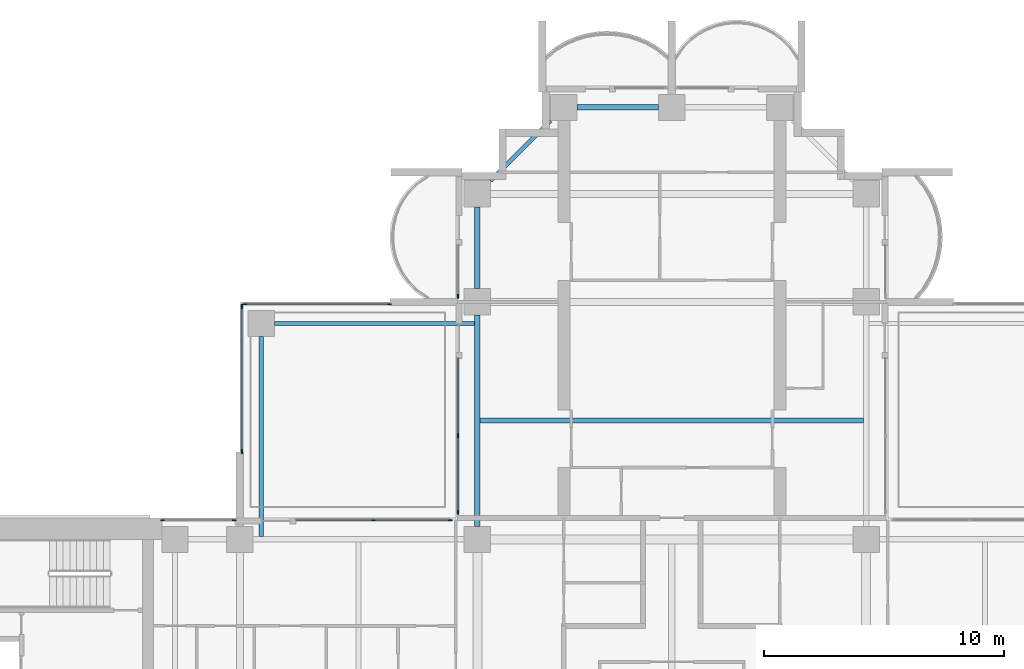
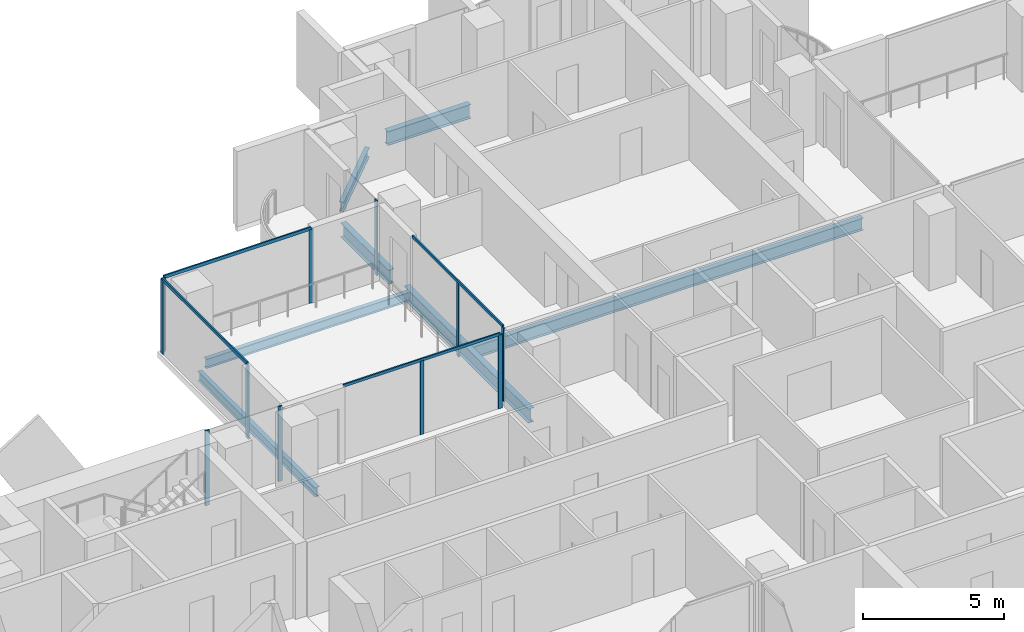
# One storey, part 5 of 19: 15 members, 7 beams, 6 elements without a shape of their own.
"""IFC4 building model written with IfcOpenShell, lengths in metres."""

from ifc_helpers import new_model, si_unit, direction, frame, origin, origin_2d, place, context, subcontext, project, spatial, rectangle, i_section, extrude, material, material_profile, profile_set, type_object, element, aggregate, save


model = new_model("IFC4")

# Units and contexts
model_context = context("Model", 3, precision=1e-05, world=origin(), true_north=direction((0.0, 1.0)))
body_context = subcontext(model_context, "Body", "Model", "MODEL_VIEW")
ifc_project = project(units=[si_unit("LENGTHUNIT", "METRE"), si_unit("AREAUNIT", "SQUARE_METRE"), si_unit("VOLUMEUNIT", "CUBIC_METRE"), si_unit("PLANEANGLEUNIT", "RADIAN"), si_unit("MASSUNIT", "GRAM", prefix="KILO")], contexts=[model_context])

# Site, building, storey
site_placement = place(None, origin())
site = spatial("IfcSite", under=ifc_project, at=site_placement, CompositionType="ELEMENT")
building_placement = place(site_placement, origin())
building = spatial("IfcBuilding", under=site, at=building_placement, Name="Perihelion Cross Residences", CompositionType="ELEMENT")
storey_placement = place(building_placement, frame((0.0, 0.0, 137.39990234375)))
storey = spatial("IfcBuildingStorey", under=building, at=storey_placement, Name="L33", CompositionType="ELEMENT", Elevation=137.39990234375)

# Curtain wall, member
ifc_material_1 = material(Name="Bronze anodised aluminium, tinted glazing", Category="aluminium")
curtain_wall_type_1 = type_object("IfcCurtainWallType", Name="CW1", PredefinedType="NOTDEFINED", material=ifc_material_1)
curtain_wall_1_placement = place(storey_placement, origin())
curtain_wall_1 = element("IfcCurtainWall", 1, at=curtain_wall_1_placement, inside=storey, type_object=curtain_wall_type_1, Name="Curtain wall CW1 L33 north side west bay 1", PredefinedType="NOTDEFINED")
ifc_material_2 = material(Name="Bronze anodised aluminium", Category="aluminium")
ifc_material_profile_1 = material_profile(ifc_material_2, rectangle(XDim=0.06005859375, YDim=0.159912109375, at=origin_2d()), Name="CW1 mullion")
ifc_profile_set_1 = profile_set([ifc_material_profile_1], Name="Bronze anodised aluminium")
member_type_1 = type_object("IfcMemberType", Name="CW1 mullion", PredefinedType="MULLION", material=ifc_profile_set_1)
member_1_placement = place(storey_placement, frame((-8.89990234375, 18.22998046875, 0.0), z_axis=(0.0, 0.0, 1.0), x_axis=(1.0, 0.0, 0.0)))
member_1 = element("IfcMember", 2, at=member_1_placement, type_object=member_type_1, Name="CW1 mullion 2", PredefinedType="MULLION", context=body_context, shape_type="SweptSolid", body=[
    extrude(rectangle(XDim=0.06005859375, YDim=0.159912109375, at=origin_2d()), origin(), (0.0, 0.0, 1.0), 3.25),
])
aggregate(curtain_wall_1, [member_1])

# Curtain wall, members
curtain_wall_2_placement = place(storey_placement, origin())
curtain_wall_2 = element("IfcCurtainWall", 3, at=curtain_wall_2_placement, inside=storey, type_object=curtain_wall_type_1, Name="Curtain wall CW1 L33 north side west bay 2", PredefinedType="NOTDEFINED")
member_2_placement = place(storey_placement, frame((-8.89990234375, 12.425048828125, 0.0), z_axis=(0.0, 0.0, 1.0), x_axis=(1.0, 0.0, 0.0)))
member_2 = element("IfcMember", 4, at=member_2_placement, type_object=member_type_1, Name="CW1 mullion 2", PredefinedType="MULLION", context=body_context, shape_type="SweptSolid", body=[
    extrude(rectangle(XDim=0.06005859375, YDim=0.159912109375, at=origin_2d()), origin(), (0.0, 0.0, 1.0), 3.190185546875),
])
member_3_placement = place(storey_placement, frame((-8.89990234375, 9.22998046875, 0.0), z_axis=(0.0, 0.0, 1.0), x_axis=(1.0, 0.0, 0.0)))
member_3 = element("IfcMember", 5, at=member_3_placement, type_object=member_type_1, Name="CW1 mullion 3", PredefinedType="MULLION", context=body_context, shape_type="SweptSolid", body=[
    extrude(rectangle(XDim=0.06005859375, YDim=0.159912109375, at=origin_2d()), origin(), (0.0, 0.0, 1.0), 3.190185546875),
])

curtain_wall_3_placement = place(storey_placement, origin())
curtain_wall_3 = element("IfcCurtainWall", 6, at=curtain_wall_3_placement, inside=storey, type_object=curtain_wall_type_1, Name="Curtain wall CW1 L33 west side north bay 1", PredefinedType="NOTDEFINED")
member_4_placement = place(storey_placement, frame((-9.22998046875, 8.89990234375, 0.0), z_axis=(0.0, 0.0, 1.0), x_axis=(0.0, -1.0, 0.0)))
member_4 = element("IfcMember", 7, at=member_4_placement, type_object=member_type_1, Name="CW1 mullion 1", PredefinedType="MULLION", context=body_context, shape_type="SweptSolid", body=[
    extrude(rectangle(XDim=0.06005859375, YDim=0.159912109375, at=origin_2d()), origin(), (0.0, 0.0, 1.0), 3.190185546875),
])
member_5_placement = place(storey_placement, frame((-12.425048828125, 8.89990234375, 0.0), z_axis=(0.0, 0.0, 1.0), x_axis=(0.0, -1.0, 0.0)))
member_5 = element("IfcMember", 8, at=member_5_placement, type_object=member_type_1, Name="CW1 mullion 2", PredefinedType="MULLION", context=body_context, shape_type="SweptSolid", body=[
    extrude(rectangle(XDim=0.06005859375, YDim=0.159912109375, at=origin_2d()), origin(), (0.0, 0.0, 1.0), 3.190185546875),
])

curtain_wall_4_placement = place(storey_placement, origin())
curtain_wall_4 = element("IfcCurtainWall", 9, at=curtain_wall_4_placement, inside=storey, type_object=curtain_wall_type_1, Name="Curtain wall CW1 L33 west side north bay 2", PredefinedType="NOTDEFINED")
member_6_placement = place(storey_placement, frame((-18.22998046875, 8.89990234375, 0.0), z_axis=(0.0, 0.0, 1.0), x_axis=(0.0, -1.0, 0.0)))
member_6 = element("IfcMember", 10, at=member_6_placement, type_object=member_type_1, Name="CW1 mullion 1", PredefinedType="MULLION", context=body_context, shape_type="SweptSolid", body=[
    extrude(rectangle(XDim=0.06005859375, YDim=0.159912109375, at=origin_2d()), origin(), (0.0, 0.0, 1.0), 3.25),
])
member_7_placement = place(storey_placement, frame((-21.219970703125, 8.89990234375, 0.0), z_axis=(0.0, 0.0, 1.0), x_axis=(0.0, -1.0, 0.0)))
member_7 = element("IfcMember", 11, at=member_7_placement, type_object=member_type_1, Name="CW1 mullion 2", PredefinedType="MULLION", context=body_context, shape_type="SweptSolid", body=[
    extrude(rectangle(XDim=0.06005859375, YDim=0.159912109375, at=origin_2d()), origin(), (0.0, 0.0, 1.0), 3.25),
])
aggregate(curtain_wall_4, [member_6, member_7])

# Member
ifc_material_3 = material(Name="Bronze anodised aluminium", Category="aluminium")
ifc_material_profile_2 = material_profile(ifc_material_3, rectangle(XDim=0.06005859375, YDim=0.1201171875, at=origin_2d()), Name="CW1 transom")
ifc_profile_set_2 = profile_set([ifc_material_profile_2], Name="Bronze anodised aluminium")
member_type_2 = type_object("IfcMemberType", Name="CW1 transom", PredefinedType="USERDEFINED", material=ifc_profile_set_2)
member_8_placement = place(storey_placement, frame((-8.89990234375, 15.64990234375, 3.22021484375), z_axis=(0.0, -1.0, 0.0), x_axis=(1.0, 0.0, 0.0)))
member_8 = element("IfcMember", 12, at=member_8_placement, type_object=member_type_2, Name="CW1 head transom", ObjectType="TRANSOM", PredefinedType="USERDEFINED", context=body_context, shape_type="SweptSolid", body=[
    extrude(rectangle(XDim=0.06005859375, YDim=0.1201171875, at=origin_2d()), origin(), (0.0, 0.0, 1.0), 6.419921875),
])

aggregate(curtain_wall_2, [member_2, member_3, member_8])

member_9_placement = place(storey_placement, frame((-9.22998046875, 8.89990234375, 3.22021484375), z_axis=(-1.0, 0.0, 0.0), x_axis=(0.0, -1.0, 0.0)))
member_9 = element("IfcMember", 13, at=member_9_placement, type_object=member_type_2, Name="CW1 head transom", ObjectType="TRANSOM", PredefinedType="USERDEFINED", context=body_context, shape_type="SweptSolid", body=[
    extrude(rectangle(XDim=0.06005859375, YDim=0.1201171875, at=origin_2d()), origin(), (0.0, 0.0, 1.0), 6.419921875),
])

aggregate(curtain_wall_3, [member_4, member_5, member_9])

# Curtain wall, members
ifc_material_4 = material(Name="Bronze anodised aluminium, tinted glazing", Category="aluminium")
curtain_wall_type_2 = type_object("IfcCurtainWallType", Name="CW4", PredefinedType="NOTDEFINED", material=ifc_material_4)
curtain_wall_5_placement = place(storey_placement, origin())
curtain_wall_5 = element("IfcCurtainWall", 14, at=curtain_wall_5_placement, inside=storey, type_object=curtain_wall_type_2, Name="Curtain wall CW4 L33 pocket north-west 1 1", PredefinedType="NOTDEFINED")
ifc_material_5 = material(Name="Bronze anodised aluminium", Category="aluminium")
ifc_material_profile_3 = material_profile(ifc_material_5, rectangle(XDim=0.06005859375, YDim=0.179931640625, at=origin_2d()), Name="CW4 mullion")
ifc_profile_set_3 = profile_set([ifc_material_profile_3], Name="Bronze anodised aluminium")
member_type_3 = type_object("IfcMemberType", Name="CW4 mullion", PredefinedType="MULLION", material=ifc_profile_set_3)
member_10_placement = place(storey_placement, frame((-17.89990234375, 11.77001953125, 0.0), z_axis=(0.0, 0.0, 1.0), x_axis=(-1.0, 0.0, 0.0)))
member_10 = element("IfcMember", 15, at=member_10_placement, type_object=member_type_3, Name="CW4 mullion 1", PredefinedType="MULLION", context=body_context, shape_type="SweptSolid", body=[
    extrude(rectangle(XDim=0.06005859375, YDim=0.179931640625, at=origin_2d()), origin(), (0.0, 0.0, 1.0), 3.190185546875),
])
member_11_placement = place(storey_placement, frame((-17.89990234375, 17.800048828125, 0.0), z_axis=(0.0, 0.0, 1.0), x_axis=(-1.0, 0.0, 0.0)))
member_11 = element("IfcMember", 16, at=member_11_placement, type_object=member_type_3, Name="CW4 mullion 2", PredefinedType="MULLION", context=body_context, shape_type="SweptSolid", body=[
    extrude(rectangle(XDim=0.06005859375, YDim=0.179931640625, at=origin_2d()), origin(), (0.0, 0.0, 1.0), 3.190185546875),
])

curtain_wall_6_placement = place(storey_placement, origin())
curtain_wall_6 = element("IfcCurtainWall", 17, at=curtain_wall_6_placement, inside=storey, type_object=curtain_wall_type_2, Name="Curtain wall CW4 L33 pocket north-west 1 2", PredefinedType="NOTDEFINED")
member_12_placement = place(storey_placement, frame((-17.800048828125, 17.89990234375, 0.0), z_axis=(0.0, 0.0, 1.0), x_axis=(0.0, 1.0, 0.0)))
member_12 = element("IfcMember", 18, at=member_12_placement, type_object=member_type_3, Name="CW4 mullion 1", PredefinedType="MULLION", context=body_context, shape_type="SweptSolid", body=[
    extrude(rectangle(XDim=0.06005859375, YDim=0.179931640625, at=origin_2d()), origin(), (0.0, 0.0, 1.0), 3.190185546875),
])
member_13_placement = place(storey_placement, frame((-11.77001953125, 17.89990234375, 0.0), z_axis=(0.0, 0.0, 1.0), x_axis=(0.0, 1.0, 0.0)))
member_13 = element("IfcMember", 19, at=member_13_placement, type_object=member_type_3, Name="CW4 mullion 2", PredefinedType="MULLION", context=body_context, shape_type="SweptSolid", body=[
    extrude(rectangle(XDim=0.06005859375, YDim=0.179931640625, at=origin_2d()), origin(), (0.0, 0.0, 1.0), 3.190185546875),
])

# Member
ifc_material_6 = material(Name="Bronze anodised aluminium", Category="aluminium")
ifc_material_profile_4 = material_profile(ifc_material_6, rectangle(XDim=0.06005859375, YDim=0.139892578125, at=origin_2d()), Name="CW4 transom")
ifc_profile_set_4 = profile_set([ifc_material_profile_4], Name="Bronze anodised aluminium")
member_type_4 = type_object("IfcMemberType", Name="CW4 transom", PredefinedType="USERDEFINED", material=ifc_profile_set_4)
member_14_placement = place(storey_placement, frame((-17.89990234375, 11.77001953125, 3.22021484375), z_axis=(0.0, 1.0, 0.0), x_axis=(-1.0, 0.0, 0.0)))
member_14 = element("IfcMember", 20, at=member_14_placement, type_object=member_type_4, Name="CW4 head transom", ObjectType="TRANSOM", PredefinedType="USERDEFINED", context=body_context, shape_type="SweptSolid", body=[
    extrude(rectangle(XDim=0.06005859375, YDim=0.139892578125, at=origin_2d()), origin(), (0.0, 0.0, 1.0), 6.030029296875),
])

aggregate(curtain_wall_5, [member_10, member_11, member_14])

member_15_placement = place(storey_placement, frame((-17.800048828125, 17.89990234375, 3.22021484375), z_axis=(1.0, 0.0, 0.0), x_axis=(0.0, 1.0, 0.0)))
member_15 = element("IfcMember", 21, at=member_15_placement, type_object=member_type_4, Name="CW4 head transom", ObjectType="TRANSOM", PredefinedType="USERDEFINED", context=body_context, shape_type="SweptSolid", body=[
    extrude(rectangle(XDim=0.06005859375, YDim=0.139892578125, at=origin_2d()), origin(), (0.0, 0.0, 1.0), 6.030029296875),
])

aggregate(curtain_wall_6, [member_12, member_13, member_15])

# Beams
ifc_material_7 = material(Name="Steel S355", Category="steel")
ifc_material_profile_5 = material_profile(ifc_material_7, i_section(OverallWidth=0.177978515625, OverallDepth=0.406005859375, WebThickness=0.0078125, FlangeThickness=0.0126953125, at=origin_2d()), Name="W410x60")
ifc_profile_set_5 = profile_set([ifc_material_profile_5], Name="Steel S355")
beam_type_1 = type_object("IfcBeamType", Name="Core edge beam W410x60", PredefinedType="BEAM", material=ifc_profile_set_5)
for number, where, z_axis, x_axis, name in (
    (22, (-17.10009765625, 8.214599609375, -0.452880859375), (0.0, 1.0, 0.0), (-1.0, 0.0, 0.0), "Core edge beam TB2 L33 corner no. 3"),
    (23, (-8.214599609375, 17.10009765625, -0.452880859375), (-1.0, 0.0, 0.0), (0.0, -1.0, 0.0), "Core edge beam TB2 L33 corner no. 4"),
):
    element("IfcBeam", number, at=place(storey_placement, frame(where, z_axis=z_axis, x_axis=x_axis)), inside=storey, type_object=beam_type_1, Name=name, PredefinedType="BEAM", context=body_context, shape_type="SweptSolid", body=[
        extrude(i_section(OverallWidth=0.177978515625, OverallDepth=0.406005859375, WebThickness=0.0078125, FlangeThickness=0.0126953125, at=origin_2d()), origin(), (0.0, 0.0, 1.0), 8.33544921875),
    ])
ifc_material_8 = material(Name="Steel S355", Category="steel")
ifc_material_profile_6 = material_profile(ifc_material_8, i_section(OverallWidth=0.22900390625, OverallDepth=0.612060546875, WebThickness=0.011962890625, FlangeThickness=0.01953125, at=origin_2d()), Name="W610x125")
ifc_profile_set_6 = profile_set([ifc_material_profile_6], Name="Steel S355")
beam_type_2 = type_object("IfcBeamType", Name="Edge beam W610x125", PredefinedType="SPANDREL", material=ifc_profile_set_6)
for number, where, z_axis, x_axis, name in (
    (24, (-0.550048828125, 26.10009765625, -0.555908203125), (-1.0, 0.0, 0.0), (0.0, -1.0, 0.0), "Edge beam SB3 L33 no. 10"),
    (25, (-8.10009765625, 21.949951171875, -0.555908203125), (0.0, -1.0, 0.0), (1.0, 0.0, 0.0), "Edge beam SB3 L33 no. 7"),
):
    element("IfcBeam", number, at=place(storey_placement, frame(where, z_axis=z_axis, x_axis=x_axis)), inside=storey, type_object=beam_type_2, Name=name, PredefinedType="SPANDREL", context=body_context, shape_type="SweptSolid", body=[
        extrude(i_section(OverallWidth=0.22900390625, OverallDepth=0.612060546875, WebThickness=0.011962890625, FlangeThickness=0.01953125, at=origin_2d()), origin(), (0.0, 0.0, 1.0), 3.39990234375),
    ])
beam_1_placement = place(storey_placement, frame((-8.10009765625, 17.449951171875, -0.555908203125), z_axis=(0.0, -1.0, 0.0), x_axis=(1.0, 0.0, 0.0)))
element("IfcBeam", 26, at=beam_1_placement, inside=storey, type_object=beam_type_2, Name="Edge beam SB3 L33 no. 6", PredefinedType="SPANDREL", context=body_context, shape_type="SweptSolid", body=[
    extrude(i_section(OverallWidth=0.22900390625, OverallDepth=0.612060546875, WebThickness=0.011962890625, FlangeThickness=0.01953125, at=origin_2d()), origin(), (0.0, 0.0, 1.0), 8.800048828125),
])
ifc_material_9 = material(Name="Steel S355", Category="steel")
ifc_material_profile_7 = material_profile(ifc_material_9, i_section(OverallWidth=0.208984375, OverallDepth=0.532958984375, WebThickness=0.01025390625, FlangeThickness=0.015625, at=origin_2d()), Name="W530x92")
ifc_profile_set_7 = profile_set([ifc_material_profile_7], Name="Steel S355")
beam_type_3 = type_object("IfcBeamType", Name="Floor joist W530x92", PredefinedType="JOIST", material=ifc_profile_set_7)
beam_2_placement = place(storey_placement, frame((-7.985595703125, 13.050048828125, -0.516357421875), z_axis=(1.0, 0.0, 0.0), x_axis=(0.0, 1.0, 0.0)))
element("IfcBeam", 27, at=beam_2_placement, inside=storey, type_object=beam_type_3, Name="Joist J4 L33 no. 4", PredefinedType="JOIST", context=body_context, shape_type="SweptSolid", body=[
    extrude(i_section(OverallWidth=0.208984375, OverallDepth=0.532958984375, WebThickness=0.01025390625, FlangeThickness=0.015625, at=origin_2d()), origin(), (0.0, 0.0, 1.0), 15.97119140625),
])
ifc_material_10 = material(Name="Steel S355", Category="steel")
ifc_material_profile_8 = material_profile(ifc_material_10, i_section(OverallWidth=0.180908203125, OverallDepth=0.4169921875, WebThickness=0.010986328125, FlangeThickness=0.018310546875, at=origin_2d()), Name="W410x85")
ifc_profile_set_8 = profile_set([ifc_material_profile_8], Name="Steel S355")
beam_type_4 = type_object("IfcBeamType", Name="Serration edge beam W410x85", PredefinedType="BEAM", material=ifc_profile_set_8)
beam_3_placement = place(storey_placement, frame((-5.050048828125, 25.550048828125, -0.45849609375), z_axis=(-0.707106781187, -0.707106781187, 0.0), x_axis=(0.707106781187, -0.707106781187, 0.0)))
element("IfcBeam", 28, at=beam_3_placement, inside=storey, type_object=beam_type_4, Name="Serration edge beam EB3 L33 no. 1", PredefinedType="BEAM", context=body_context, shape_type="SweptSolid", body=[
    extrude(i_section(OverallWidth=0.180908203125, OverallDepth=0.4169921875, WebThickness=0.010986328125, FlangeThickness=0.018310546875, at=origin_2d()), origin(), (0.0, 0.0, 1.0), 3.53564453125),
])

save(model, "model.ifc")
